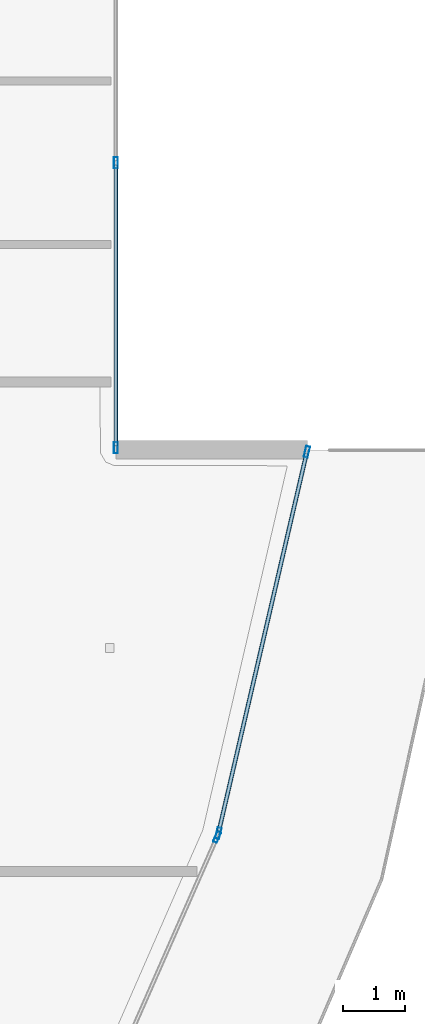
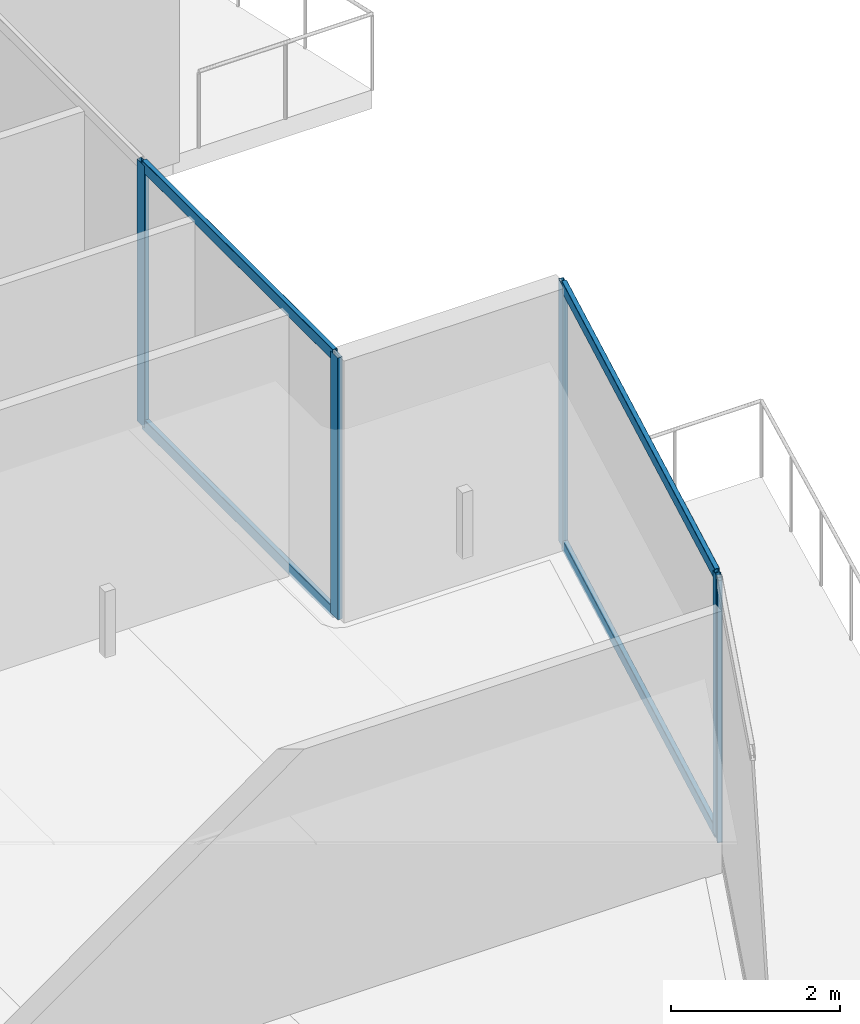
# One storey, part 13 of 37: 9 members, 3 elements without a shape of their own.
"""IFC4 building model written with IfcOpenShell, lengths in metres."""

import ifcopenshell
import ifcopenshell.guid

model = None  # the IFC model being written
_history = None  # IfcOwnerHistory: only IFC2X3 demands one
_inside = {}  # id of a spatial element -> (the spatial element, [elements in it])
_under = {}  # id of a project, library or spatial element -> (it, [spatial elements below it])
_declared = {}  # id of a project -> (the project, [libraries it declares])
_typed = {}  # id of a type object -> (the type object, [elements of that type])
_made_of = {}  # id of a material, layer set ... -> (it, [elements and type objects made of it])


def new_model(schema):
    """Start an empty IFC model of exactly this schema.

    Asked for "IFC4X3", IfcOpenShell would pick the latest addendum, in which some entities
    have other attributes; the version numbers below select the first issue.
    IFC2X3 requires an IfcOwnerHistory on every rooted entity: one is made here for all.
    """
    global model, _history
    if schema == "IFC4X3":
        model = ifcopenshell.file(schema_version=(4, 3, 0, 0))
    else:
        model = ifcopenshell.file(schema=schema)
    _inside.clear()
    _under.clear()
    _declared.clear()
    _typed.clear()
    _made_of.clear()
    _history = None
    if model.schema == "IFC2X3":
        org = make("IfcOrganization", Name="unknown")
        user = make(
            "IfcPersonAndOrganization",
            ThePerson=make("IfcPerson", FamilyName="unknown"),
            TheOrganization=org,
        )
        app = make(
            "IfcApplication",
            ApplicationDeveloper=org,
            Version="unknown",
            ApplicationFullName="unknown",
            ApplicationIdentifier="unknown",
        )
        _history = make(
            "IfcOwnerHistory",
            OwningUser=user,
            OwningApplication=app,
            ChangeAction="ADDED",
            CreationDate=0,
        )
    return model


def make(cls, **values):
    """One entity of the class cls with the attributes given. An attribute that is None is left unset."""
    return model.create_entity(
        cls, **{name: value for name, value in values.items() if value is not None}
    )


def rooted(cls, **values):
    """An entity with a GlobalId (a new one), such as an element, a storey or a relation."""
    return make(cls, GlobalId=ifcopenshell.guid.new(), OwnerHistory=_history, **values)


def si_unit(unit_type, name, prefix=None):
    """IfcSIUnit, for example si_unit("LENGTHUNIT", "METRE", prefix="MILLI")."""
    return make("IfcSIUnit", UnitType=unit_type, Prefix=prefix, Name=name)


def assignment(units):
    """IfcUnitAssignment: the units of a project."""
    return None if units is None else make("IfcUnitAssignment", Units=units)


def point(xyz):
    """IfcCartesianPoint."""
    return None if xyz is None else make("IfcCartesianPoint", Coordinates=xyz)


def direction(xyz):
    """IfcDirection."""
    return None if xyz is None else make("IfcDirection", DirectionRatios=xyz)


def frame(location, z_axis=None, x_axis=None):
    """IfcAxis2Placement3D, a coordinate frame: its origin and axes. An axis left out is left unset."""
    return make(
        "IfcAxis2Placement3D",
        Location=point(location),
        Axis=direction(z_axis),
        RefDirection=direction(x_axis),
    )


def frame_2d(location, x_axis=None):
    """IfcAxis2Placement2D, a coordinate frame in the plane: its origin and x axis."""
    return make(
        "IfcAxis2Placement2D", Location=point(location), RefDirection=direction(x_axis)
    )


def origin():
    """The frame at (0, 0, 0) with its axes left unset."""
    return frame((0.0, 0.0, 0.0))


def origin_2d():
    """The frame at (0, 0) in the plane with its x axis left unset."""
    return frame_2d((0.0, 0.0))


def place(relative_to, where):
    """IfcLocalPlacement: puts the frame where relative to a parent placement (None: the world)."""
    return make(
        "IfcLocalPlacement", PlacementRelTo=relative_to, RelativePlacement=where
    )


def context(
    kind, dimensions, precision=None, world=None, true_north=None, identifier=None
):
    """IfcGeometricRepresentationContext, for example the 3D "Model" context."""
    return make(
        "IfcGeometricRepresentationContext",
        ContextIdentifier=identifier,
        ContextType=kind,
        CoordinateSpaceDimension=dimensions,
        Precision=precision,
        WorldCoordinateSystem=world,
        TrueNorth=true_north,
    )


def subcontext(parent, identifier, kind, view, scale=None):
    """IfcGeometricRepresentationSubContext, for example "Body" below "Model"."""
    return make(
        "IfcGeometricRepresentationSubContext",
        ContextIdentifier=identifier,
        ContextType=kind,
        ParentContext=parent,
        TargetScale=scale,
        TargetView=view,
    )


def project(units=None, contexts=None):
    """IfcProject with its units and contexts."""
    return rooted(
        "IfcProject",
        Name="project",
        RepresentationContexts=contexts,
        UnitsInContext=assignment(units),
    )


def spatial(cls, under=None, at=None, **own):
    """A site, building, storey or space (cls), placed at a placement, below another one or the project."""
    s = rooted(cls, ObjectPlacement=at, **own)
    if under is not None:
        _under.setdefault(under.id(), (under, []))[1].append(s)
    return s


def profile(cls, at=None, kind="AREA", **sizes):
    """A parametric profile (cls). Its sizes go by their IFC names, for example OverallWidth=200.0."""
    return make(cls, ProfileType=kind, Position=at, **sizes)


def hollow_rectangle(**sizes):
    """IfcRectangleHollowProfileDef."""
    return profile("IfcRectangleHollowProfileDef", **sizes)


def extrude(swept, where, along, depth):
    """IfcExtrudedAreaSolid: the profile swept, set in the frame where, extruded along a direction by depth."""
    return make(
        "IfcExtrudedAreaSolid",
        SweptArea=swept,
        Position=where,
        ExtrudedDirection=direction(along),
        Depth=depth,
    )


def shape(context_of_items, identifier, shape_type, items):
    """IfcShapeRepresentation: the items that make up one representation, for example the "Body"."""
    return make(
        "IfcShapeRepresentation",
        ContextOfItems=context_of_items,
        RepresentationIdentifier=identifier,
        RepresentationType=shape_type,
        Items=items,
    )


def material(Name=None, Category=None):
    """IfcMaterial."""
    return make("IfcMaterial", Name=Name, Category=Category)


def layer(
    of_material, thickness, ventilated=None, Name=None, Category=None, Priority=None
):
    """IfcMaterialLayer: one layer of a wall or slab, of a material (None: an air gap)."""
    return make(
        "IfcMaterialLayer",
        Material=of_material,
        LayerThickness=thickness,
        IsVentilated=ventilated,
        Name=Name,
        Category=Category,
        Priority=Priority,
    )


def layer_set(layers, Name=None):
    """IfcMaterialLayerSet."""
    return make("IfcMaterialLayerSet", MaterialLayers=layers, LayerSetName=Name)


def material_profile(
    of_material, cross_section, Name=None, Category=None, Priority=None
):
    """IfcMaterialProfile: a cross section and its material."""
    return make(
        "IfcMaterialProfile",
        Name=Name,
        Material=of_material,
        Profile=cross_section,
        Priority=Priority,
        Category=Category,
    )


def profile_set(profiles, Name=None, composite=None):
    """IfcMaterialProfileSet."""
    return make(
        "IfcMaterialProfileSet",
        Name=Name,
        MaterialProfiles=profiles,
        CompositeProfile=composite,
    )


def made_of(thing, what):
    """Note that an element or type object is made of a material, layer set ...; save() writes the relation."""
    if what is not None:
        _made_of.setdefault(what.id(), (what, []))[1].append(thing)
    return thing


def type_object(cls, material=None, **own):
    """A type object (cls), such as IfcWallType, which elements share."""
    return made_of(rooted(cls, **own), material)


def element(
    cls,
    number,
    at=None,
    inside=None,
    cuts=None,
    type_object=None,
    material=None,
    context=None,
    identifier="Body",
    shape_type=None,
    held_by="IfcProductDefinitionShape",
    body=None,
    shapes=None,
    **own,
):
    """One element of the class cls, such as IfcWall. Its Tag is "e" and its number.

    at: its placement. inside: the storey or other place that contains it. cuts: it is an
    opening in that element (IfcRelVoidsElement). A single representation is given by context,
    identifier, shape_type and body (its items); several are given by shapes. held_by: the class
    of the entity that holds the representations. save() writes the other relations.
    """
    e = rooted(cls, Tag="e%d" % number, ObjectPlacement=at, **own)
    if body is not None:
        shapes = [shape(context, identifier, shape_type, body)]
    if shapes is not None:
        e.Representation = make(held_by, Representations=shapes)
    if inside is not None:
        _inside.setdefault(inside.id(), (inside, []))[1].append(e)
    if cuts is not None:
        rooted(
            "IfcRelVoidsElement", RelatingBuildingElement=cuts, RelatedOpeningElement=e
        )
    if type_object is not None:
        _typed.setdefault(type_object.id(), (type_object, []))[1].append(e)
    return made_of(e, material)


def aggregate(whole, parts):
    """IfcRelAggregates: a whole, such as a stair, and the parts it consists of."""
    return rooted("IfcRelAggregates", RelatingObject=whole, RelatedObjects=parts)


def save(model, path):
    """Write the relations noted so far, then the file.

    IfcRelAggregates (storeys below a building ...), IfcRelContainedInSpatialStructure (elements
    in a storey), IfcRelDefinesByType, IfcRelAssociatesMaterial and IfcRelDeclares: one each for
    every whole, place, type object, material and project.
    """
    for whole, parts in _under.values():
        aggregate(whole, parts)
    for where, things in _inside.values():
        rooted(
            "IfcRelContainedInSpatialStructure",
            RelatedElements=things,
            RelatingStructure=where,
        )
    for kind, things in _typed.values():
        rooted("IfcRelDefinesByType", RelatedObjects=things, RelatingType=kind)
    for what, things in _made_of.values():
        rooted("IfcRelAssociatesMaterial", RelatedObjects=things, RelatingMaterial=what)
    for by, libraries in _declared.values():
        rooted("IfcRelDeclares", RelatingContext=by, RelatedDefinitions=libraries)
    model.write(path)


model = new_model("IFC4")

# Units and contexts
model_context = context("Model", 3, precision=1e-05, world=origin(), true_north=direction((0.0, 1.0)))
body_context = subcontext(model_context, "Body", "Model", "MODEL_VIEW")
ifc_project = project(units=[si_unit("LENGTHUNIT", "METRE"), si_unit("AREAUNIT", "SQUARE_METRE"), si_unit("VOLUMEUNIT", "CUBIC_METRE"), si_unit("PLANEANGLEUNIT", "RADIAN"), si_unit("MASSUNIT", "GRAM", prefix="KILO")], contexts=[model_context])

# Site, building, storey
site_placement = place(None, origin())
site = spatial("IfcSite", under=ifc_project, at=site_placement, CompositionType="ELEMENT")
building_placement = place(site_placement, origin())
building = spatial("IfcBuilding", under=site, at=building_placement, Name="Qorvath Tower", CompositionType="ELEMENT")
storey_placement = place(building_placement, frame((0.0, 0.0, 188.85009765625)))
storey = spatial("IfcBuildingStorey", under=building, at=storey_placement, Name="L43", CompositionType="ELEMENT", Elevation=188.85009765625)

# Curtain wall, member
ifc_material_1 = material(Name="Anodised aluminium and triple low-E glass", Category="aluminium")
ifc_layer = layer(ifc_material_1, 0.179931640625)
ifc_layer_set = layer_set([ifc_layer], Name="CW-SYS-3")
curtain_wall_type = type_object("IfcCurtainWallType", Name="CW-SYS-3", PredefinedType="NOTDEFINED", material=ifc_layer_set)
curtain_wall_1_placement = place(storey_placement, origin())
curtain_wall_1 = element("IfcCurtainWall", 1, at=curtain_wall_1_placement, inside=storey, type_object=curtain_wall_type, Name="Curtain Wall CW-3 CW-T-L43-6.1", PredefinedType="NOTDEFINED")
ifc_material_2 = material(Name="Anodised aluminium 6063-T6", Category="aluminium")
ifc_material_profile_1 = material_profile(ifc_material_2, hollow_rectangle(XDim=0.06494140625, YDim=0.179931640625, WallThickness=0.00341796875, InnerFilletRadius=0.00341796875, OuterFilletRadius=0.007080078125, at=origin_2d()), Name="CWM 180x65")
ifc_profile_set_1 = profile_set([ifc_material_profile_1], Name="Anodised aluminium 6063-T6")
member_type_1 = type_object("IfcMemberType", Name="CWM-180", PredefinedType="MULLION", material=ifc_profile_set_1)
member_1_placement = place(storey_placement, frame((0.78271484375, -10.8056640625, 0.0), z_axis=(0.0, 0.0, 1.0), x_axis=(-0.915549117046, 0.402206183786, 0.0)))
member_1 = element("IfcMember", 2, at=member_1_placement, type_object=member_type_1, Name="CW-3 mullion 2", PredefinedType="MULLION", context=body_context, shape_type="SweptSolid", body=[
    extrude(hollow_rectangle(XDim=0.06494140625, YDim=0.179931640625, WallThickness=0.00341796875, InnerFilletRadius=0.00341796875, OuterFilletRadius=0.007080078125, at=origin_2d()), origin(), (0.0, 0.0, 1.0), 3.77978515625),
])
aggregate(curtain_wall_1, [member_1])

# Curtain wall, members
curtain_wall_2_placement = place(storey_placement, origin())
curtain_wall_2 = element("IfcCurtainWall", 3, at=curtain_wall_2_placement, inside=storey, type_object=curtain_wall_type, Name="Curtain Wall CW-3 CW-T-L43-7.1", PredefinedType="NOTDEFINED")
member_2_placement = place(storey_placement, frame((0.80322265625, -10.744140625, 0.0), z_axis=(0.0, 0.0, 1.0), x_axis=(-0.974111283532, 0.226069032147, 0.0)))
member_2 = element("IfcMember", 4, at=member_2_placement, type_object=member_type_1, Name="CW-3 mullion 1", PredefinedType="MULLION", context=body_context, shape_type="SweptSolid", body=[
    extrude(hollow_rectangle(XDim=0.06494140625, YDim=0.179931640625, WallThickness=0.00341796875, InnerFilletRadius=0.00341796875, OuterFilletRadius=0.007080078125, at=origin_2d()), origin(), (0.0, 0.0, 1.0), 3.77978515625),
])
member_3_placement = place(storey_placement, frame((2.2216796875, -4.632568359375, 0.0), z_axis=(0.0, 0.0, 1.0), x_axis=(-0.974111283532, 0.226069032147, 0.0)))
member_3 = element("IfcMember", 5, at=member_3_placement, type_object=member_type_1, Name="CW-3 mullion 2", PredefinedType="MULLION", context=body_context, shape_type="SweptSolid", body=[
    extrude(hollow_rectangle(XDim=0.06494140625, YDim=0.179931640625, WallThickness=0.00341796875, InnerFilletRadius=0.00341796875, OuterFilletRadius=0.007080078125, at=origin_2d()), origin(), (0.0, 0.0, 1.0), 3.77978515625),
])

curtain_wall_3_placement = place(storey_placement, origin())
curtain_wall_3 = element("IfcCurtainWall", 6, at=curtain_wall_3_placement, inside=storey, type_object=curtain_wall_type, Name="Curtain Wall CW-3 CW-T-L43-9.1", PredefinedType="NOTDEFINED")
member_4_placement = place(storey_placement, frame((-0.83837890625, -4.568359375, 0.0), z_axis=(0.0, 0.0, 1.0), x_axis=(-1.0, 0.0, 0.0)))
member_4 = element("IfcMember", 7, at=member_4_placement, type_object=member_type_1, Name="CW-3 mullion 1", PredefinedType="MULLION", context=body_context, shape_type="SweptSolid", body=[
    extrude(hollow_rectangle(XDim=0.06494140625, YDim=0.179931640625, WallThickness=0.00341796875, InnerFilletRadius=0.00341796875, OuterFilletRadius=0.007080078125, at=origin_2d()), origin(), (0.0, 0.0, 1.0), 3.77978515625),
])
member_5_placement = place(storey_placement, frame((-0.83837890625, 0.0, 0.0), z_axis=(0.0, 0.0, 1.0), x_axis=(-1.0, 0.0, 0.0)))
member_5 = element("IfcMember", 8, at=member_5_placement, type_object=member_type_1, Name="CW-3 mullion 2", PredefinedType="MULLION", context=body_context, shape_type="SweptSolid", body=[
    extrude(hollow_rectangle(XDim=0.06494140625, YDim=0.179931640625, WallThickness=0.00341796875, InnerFilletRadius=0.00341796875, OuterFilletRadius=0.007080078125, at=origin_2d()), origin(), (0.0, 0.0, 1.0), 3.77978515625),
])

# Member
ifc_material_3 = material(Name="Anodised aluminium 6063-T6", Category="aluminium")
ifc_material_profile_2 = material_profile(ifc_material_3, hollow_rectangle(XDim=0.06494140625, YDim=0.159912109375, WallThickness=0.00341796875, InnerFilletRadius=0.00341796875, OuterFilletRadius=0.007080078125, at=origin_2d()), Name="CWT 160x65")
ifc_profile_set_2 = profile_set([ifc_material_profile_2], Name="Anodised aluminium 6063-T6")
member_type_2 = type_object("IfcMemberType", Name="CWT-160", PredefinedType="USERDEFINED", material=ifc_profile_set_2)
member_6_placement = place(storey_placement, frame((0.810546875, -10.712646484375, 0.032470703125), z_axis=(0.226079741242, 0.974108798133, 0.0), x_axis=(-0.974108798133, 0.226079741242, 0.0)))
member_6 = element("IfcMember", 9, at=member_6_placement, type_object=member_type_2, Name="CW-3 transom 1.1", ObjectType="TRANSOM", PredefinedType="USERDEFINED", context=body_context, shape_type="SweptSolid", body=[
    extrude(hollow_rectangle(XDim=0.06494140625, YDim=0.159912109375, WallThickness=0.00341796875, InnerFilletRadius=0.00341796875, OuterFilletRadius=0.007080078125, at=origin_2d()), origin(), (0.0, 0.0, 1.0), 6.20947265625),
])

member_7_placement = place(storey_placement, frame((0.810546875, -10.712646484375, 3.747314453125), z_axis=(0.226079741242, 0.974108798133, 0.0), x_axis=(-0.974108798133, 0.226079741242, 0.0)))
member_7 = element("IfcMember", 10, at=member_7_placement, type_object=member_type_2, Name="CW-3 transom 1.2", ObjectType="TRANSOM", PredefinedType="USERDEFINED", context=body_context, shape_type="SweptSolid", body=[
    extrude(hollow_rectangle(XDim=0.06494140625, YDim=0.159912109375, WallThickness=0.00341796875, InnerFilletRadius=0.00341796875, OuterFilletRadius=0.007080078125, at=origin_2d()), origin(), (0.0, 0.0, 1.0), 6.20947265625),
])

aggregate(curtain_wall_2, [member_2, member_3, member_6, member_7])

member_8_placement = place(storey_placement, frame((-0.83837890625, -4.535888671875, 0.032470703125), z_axis=(0.0, 1.0, 0.0), x_axis=(-1.0, 0.0, 0.0)))
member_8 = element("IfcMember", 11, at=member_8_placement, type_object=member_type_2, Name="CW-3 transom 1.1", ObjectType="TRANSOM", PredefinedType="USERDEFINED", context=body_context, shape_type="SweptSolid", body=[
    extrude(hollow_rectangle(XDim=0.06494140625, YDim=0.159912109375, WallThickness=0.00341796875, InnerFilletRadius=0.00341796875, OuterFilletRadius=0.007080078125, at=origin_2d()), origin(), (0.0, 0.0, 1.0), 4.50341796875),
])

member_9_placement = place(storey_placement, frame((-0.83837890625, -4.535888671875, 3.747314453125), z_axis=(0.0, 1.0, 0.0), x_axis=(-1.0, 0.0, 0.0)))
member_9 = element("IfcMember", 12, at=member_9_placement, type_object=member_type_2, Name="CW-3 transom 1.2", ObjectType="TRANSOM", PredefinedType="USERDEFINED", context=body_context, shape_type="SweptSolid", body=[
    extrude(hollow_rectangle(XDim=0.06494140625, YDim=0.159912109375, WallThickness=0.00341796875, InnerFilletRadius=0.00341796875, OuterFilletRadius=0.007080078125, at=origin_2d()), origin(), (0.0, 0.0, 1.0), 4.50341796875),
])

aggregate(curtain_wall_3, [member_4, member_5, member_8, member_9])

save(model, "model.ifc")
